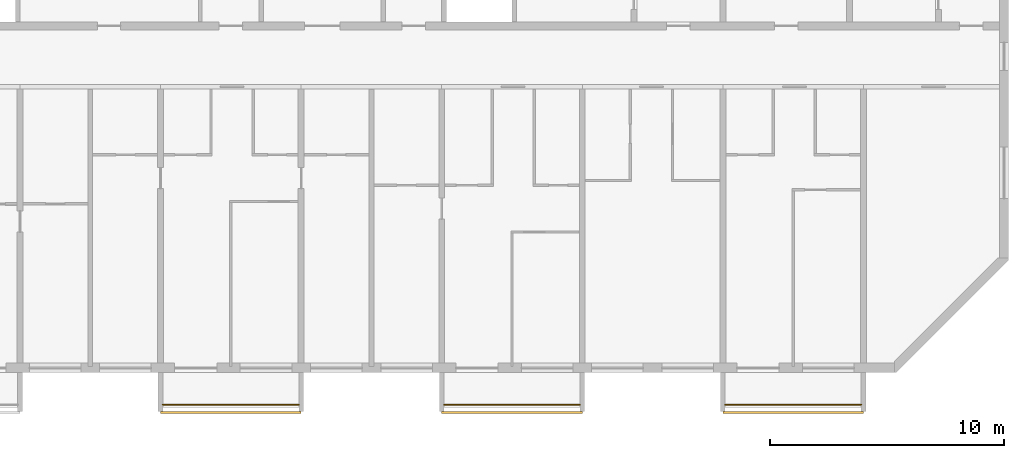
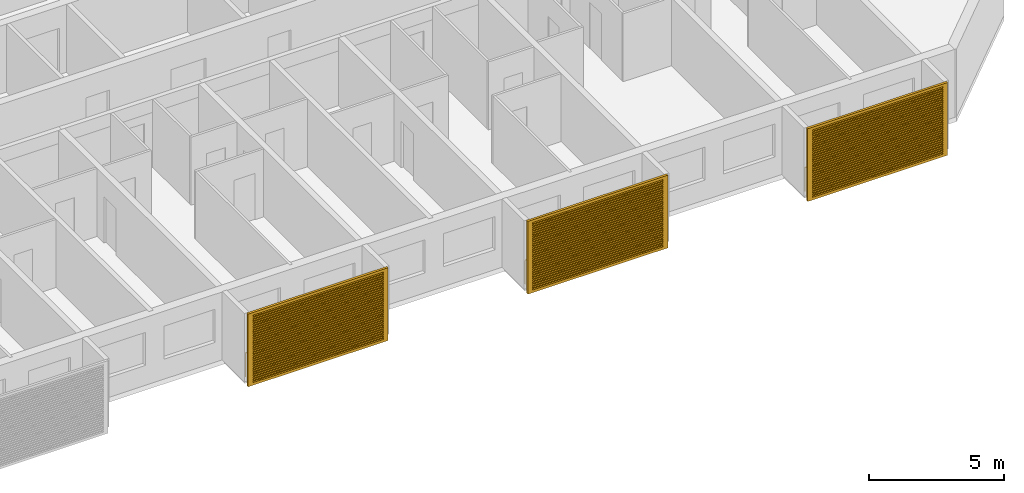
# One storey, part 13 of 26: 3 railings, 3 shading devices.
"""IFC4 building model written with IfcOpenShell, lengths in metres."""

from ifc_helpers import new_model, si_unit, direction, frame, origin, origin_2d, place, context, subcontext, project, spatial, polyline, circle, outline, extrude, source, transform, mapped, material, material_profile, profile_set, type_object, element, save


model = new_model("IFC4")

# Units and contexts
model_context = context("Model", 3, precision=1e-05, world=origin(), true_north=direction((0.0, 1.0)))
body_context = subcontext(model_context, "Body", "Model", "MODEL_VIEW")
ifc_project = project(units=[si_unit("LENGTHUNIT", "METRE"), si_unit("AREAUNIT", "SQUARE_METRE"), si_unit("VOLUMEUNIT", "CUBIC_METRE"), si_unit("PLANEANGLEUNIT", "RADIAN"), si_unit("MASSUNIT", "GRAM", prefix="KILO")], contexts=[model_context])

# Site, building, storey
site_placement = place(None, origin())
site = spatial("IfcSite", under=ifc_project, at=site_placement, CompositionType="ELEMENT")
building_placement = place(site_placement, origin())
building = spatial("IfcBuilding", under=site, at=building_placement, Name="Poui Terraces", CompositionType="ELEMENT")
storey_placement = place(building_placement, frame((0.0, 0.0, 221.39990234375)))
storey = spatial("IfcBuildingStorey", under=building, at=storey_placement, Name="L61", CompositionType="ELEMENT", Elevation=221.39990234375)

# Railings
ifc_material_1 = material(Name="Painted steel fretwork", Category="steel")
railing_type = type_object("IfcRailingType", Name="BALCONY GUARD 1100", PredefinedType="GUARDRAIL", material=ifc_material_1)
for number, where, name in (
    (1, (48.10009765625, -1.570068359375, 0.0), "BALCONY GUARD"),
    (2, (60.10009765625, -1.570068359375, 0.0), "BALCONY GUARD"),
    (3, (72.10009765625, -1.570068359375, 0.0), "BALCONY GUARD"),
):
    element("IfcRailing", number, at=place(storey_placement, frame(where)), inside=storey, type_object=railing_type, Name=name, PredefinedType="GUARDRAIL", context=body_context, shape_type="SweptSolid", body=[
        extrude(circle(Radius=0.02392578125, at=origin_2d()), frame((0.0, 0.0, 1.076171875), z_axis=(1.0, 0.0, 0.0), x_axis=(0.0, 1.0, 0.0)), (0.0, 0.0, 1.0), 5.7998046875),
        extrude(circle(Radius=0.02099609375, at=origin_2d()), origin(), (0.0, 0.0, 1.0), 1.052001953125),
        extrude(circle(Radius=0.02099609375, at=origin_2d()), frame((0.966552734375, 0.0, 0.0)), (0.0, 0.0, 1.0), 1.052001953125),
        extrude(circle(Radius=0.02099609375, at=origin_2d()), frame((1.933349609375, 0.0, 0.0)), (0.0, 0.0, 1.0), 1.052001953125),
        extrude(circle(Radius=0.02099609375, at=origin_2d()), frame((2.89990234375, 0.0, 0.0)), (0.0, 0.0, 1.0), 1.052001953125),
        extrude(circle(Radius=0.02099609375, at=origin_2d()), frame((3.866455078125, 0.0, 0.0)), (0.0, 0.0, 1.0), 1.052001953125),
        extrude(circle(Radius=0.02099609375, at=origin_2d()), frame((4.833251953125, 0.0, 0.0)), (0.0, 0.0, 1.0), 1.052001953125),
        extrude(circle(Radius=0.02099609375, at=origin_2d()), frame((5.7998046875, 0.0, 0.0)), (0.0, 0.0, 1.0), 1.052001953125),
    ])

# Shading devices
ifc_material_2 = material(Name="Aluminium louvre", Category="aluminium")
ifc_material_profile = material_profile(ifc_material_2, outline(polyline([(-3.0, -1.64990234375), (3.0, -1.64990234375), (3.0, 1.64990234375), (-3.0, 1.64990234375), (-3.0, -1.64990234375)]), holes=[polyline([(-2.800048828125, -1.530029296875), (2.800048828125, -1.530029296875), (2.800048828125, -1.469970703125), (-2.800048828125, -1.469970703125), (-2.800048828125, -1.530029296875)]), polyline([(-2.800048828125, -1.429931640625), (2.800048828125, -1.429931640625), (2.800048828125, -1.3701171875), (-2.800048828125, -1.3701171875), (-2.800048828125, -1.429931640625)]), polyline([(-2.800048828125, -1.330078125), (2.800048828125, -1.330078125), (2.800048828125, -1.27001953125), (-2.800048828125, -1.27001953125), (-2.800048828125, -1.330078125)]), polyline([(-2.800048828125, -1.22998046875), (2.800048828125, -1.22998046875), (2.800048828125, -1.169921875), (-2.800048828125, -1.169921875), (-2.800048828125, -1.22998046875)]), polyline([(-2.800048828125, -1.1298828125), (2.800048828125, -1.1298828125), (2.800048828125, -1.070068359375), (-2.800048828125, -1.070068359375), (-2.800048828125, -1.1298828125)]), polyline([(-2.800048828125, -1.030029296875), (2.800048828125, -1.030029296875), (2.800048828125, -0.969970703125), (-2.800048828125, -0.969970703125), (-2.800048828125, -1.030029296875)]), polyline([(-2.800048828125, -0.929931640625), (2.800048828125, -0.929931640625), (2.800048828125, -0.8701171875), (-2.800048828125, -0.8701171875), (-2.800048828125, -0.929931640625)]), polyline([(-2.800048828125, -0.830078125), (2.800048828125, -0.830078125), (2.800048828125, -0.77001953125), (-2.800048828125, -0.77001953125), (-2.800048828125, -0.830078125)]), polyline([(-2.800048828125, -0.72998046875), (2.800048828125, -0.72998046875), (2.800048828125, -0.669921875), (-2.800048828125, -0.669921875), (-2.800048828125, -0.72998046875)]), polyline([(-2.800048828125, -0.6298828125), (2.800048828125, -0.6298828125), (2.800048828125, -0.570068359375), (-2.800048828125, -0.570068359375), (-2.800048828125, -0.6298828125)]), polyline([(-2.800048828125, -0.530029296875), (2.800048828125, -0.530029296875), (2.800048828125, -0.469970703125), (-2.800048828125, -0.469970703125), (-2.800048828125, -0.530029296875)]), polyline([(-2.800048828125, -0.429931640625), (2.800048828125, -0.429931640625), (2.800048828125, -0.3701171875), (-2.800048828125, -0.3701171875), (-2.800048828125, -0.429931640625)]), polyline([(-2.800048828125, -0.330078125), (2.800048828125, -0.330078125), (2.800048828125, -0.27001953125), (-2.800048828125, -0.27001953125), (-2.800048828125, -0.330078125)]), polyline([(-2.800048828125, -0.22998046875), (2.800048828125, -0.22998046875), (2.800048828125, -0.169921875), (-2.800048828125, -0.169921875), (-2.800048828125, -0.22998046875)]), polyline([(-2.800048828125, -0.1298828125), (2.800048828125, -0.1298828125), (2.800048828125, -0.070068359375), (-2.800048828125, -0.070068359375), (-2.800048828125, -0.1298828125)]), polyline([(-2.800048828125, -0.030029296875), (2.800048828125, -0.030029296875), (2.800048828125, 0.030029296875), (-2.800048828125, 0.030029296875), (-2.800048828125, -0.030029296875)]), polyline([(-2.800048828125, 0.070068359375), (2.800048828125, 0.070068359375), (2.800048828125, 0.1298828125), (-2.800048828125, 0.1298828125), (-2.800048828125, 0.070068359375)]), polyline([(-2.800048828125, 0.169921875), (2.800048828125, 0.169921875), (2.800048828125, 0.22998046875), (-2.800048828125, 0.22998046875), (-2.800048828125, 0.169921875)]), polyline([(-2.800048828125, 0.27001953125), (2.800048828125, 0.27001953125), (2.800048828125, 0.330078125), (-2.800048828125, 0.330078125), (-2.800048828125, 0.27001953125)]), polyline([(-2.800048828125, 0.3701171875), (2.800048828125, 0.3701171875), (2.800048828125, 0.429931640625), (-2.800048828125, 0.429931640625), (-2.800048828125, 0.3701171875)]), polyline([(-2.800048828125, 0.469970703125), (2.800048828125, 0.469970703125), (2.800048828125, 0.530029296875), (-2.800048828125, 0.530029296875), (-2.800048828125, 0.469970703125)]), polyline([(-2.800048828125, 0.570068359375), (2.800048828125, 0.570068359375), (2.800048828125, 0.6298828125), (-2.800048828125, 0.6298828125), (-2.800048828125, 0.570068359375)]), polyline([(-2.800048828125, 0.669921875), (2.800048828125, 0.669921875), (2.800048828125, 0.72998046875), (-2.800048828125, 0.72998046875), (-2.800048828125, 0.669921875)]), polyline([(-2.800048828125, 0.77001953125), (2.800048828125, 0.77001953125), (2.800048828125, 0.830078125), (-2.800048828125, 0.830078125), (-2.800048828125, 0.77001953125)]), polyline([(-2.800048828125, 0.8701171875), (2.800048828125, 0.8701171875), (2.800048828125, 0.929931640625), (-2.800048828125, 0.929931640625), (-2.800048828125, 0.8701171875)]), polyline([(-2.800048828125, 0.969970703125), (2.800048828125, 0.969970703125), (2.800048828125, 1.030029296875), (-2.800048828125, 1.030029296875), (-2.800048828125, 0.969970703125)]), polyline([(-2.800048828125, 1.070068359375), (2.800048828125, 1.070068359375), (2.800048828125, 1.1298828125), (-2.800048828125, 1.1298828125), (-2.800048828125, 1.070068359375)]), polyline([(-2.800048828125, 1.169921875), (2.800048828125, 1.169921875), (2.800048828125, 1.22998046875), (-2.800048828125, 1.22998046875), (-2.800048828125, 1.169921875)]), polyline([(-2.800048828125, 1.27001953125), (2.800048828125, 1.27001953125), (2.800048828125, 1.330078125), (-2.800048828125, 1.330078125), (-2.800048828125, 1.27001953125)]), polyline([(-2.800048828125, 1.3701171875), (2.800048828125, 1.3701171875), (2.800048828125, 1.429931640625), (-2.800048828125, 1.429931640625), (-2.800048828125, 1.3701171875)]), polyline([(-2.800048828125, 1.469970703125), (2.800048828125, 1.469970703125), (2.800048828125, 1.530029296875), (-2.800048828125, 1.530029296875), (-2.800048828125, 1.469970703125)])]), Name="JALOUSIE LOUVRE SHUTTER 6000X3300")
ifc_profile_set = profile_set([ifc_material_profile], Name="Aluminium louvre")
shading_device_type = type_object("IfcShadingDeviceType", Name="JALOUSIE LOUVRE SHUTTER 6000X3300", PredefinedType="JALOUSIE", material=ifc_profile_set)
shared_shape = source(origin(), body_context, "Body", "SweptSolid", [
    extrude(outline(polyline([(-3.0, -1.64990234375), (3.0, -1.64990234375), (3.0, 1.64990234375), (-3.0, 1.64990234375), (-3.0, -1.64990234375)]), holes=[polyline([(-2.800048828125, -1.530029296875), (2.800048828125, -1.530029296875), (2.800048828125, -1.469970703125), (-2.800048828125, -1.469970703125), (-2.800048828125, -1.530029296875)]), polyline([(-2.800048828125, -1.429931640625), (2.800048828125, -1.429931640625), (2.800048828125, -1.3701171875), (-2.800048828125, -1.3701171875), (-2.800048828125, -1.429931640625)]), polyline([(-2.800048828125, -1.330078125), (2.800048828125, -1.330078125), (2.800048828125, -1.27001953125), (-2.800048828125, -1.27001953125), (-2.800048828125, -1.330078125)]), polyline([(-2.800048828125, -1.22998046875), (2.800048828125, -1.22998046875), (2.800048828125, -1.169921875), (-2.800048828125, -1.169921875), (-2.800048828125, -1.22998046875)]), polyline([(-2.800048828125, -1.1298828125), (2.800048828125, -1.1298828125), (2.800048828125, -1.070068359375), (-2.800048828125, -1.070068359375), (-2.800048828125, -1.1298828125)]), polyline([(-2.800048828125, -1.030029296875), (2.800048828125, -1.030029296875), (2.800048828125, -0.969970703125), (-2.800048828125, -0.969970703125), (-2.800048828125, -1.030029296875)]), polyline([(-2.800048828125, -0.929931640625), (2.800048828125, -0.929931640625), (2.800048828125, -0.8701171875), (-2.800048828125, -0.8701171875), (-2.800048828125, -0.929931640625)]), polyline([(-2.800048828125, -0.830078125), (2.800048828125, -0.830078125), (2.800048828125, -0.77001953125), (-2.800048828125, -0.77001953125), (-2.800048828125, -0.830078125)]), polyline([(-2.800048828125, -0.72998046875), (2.800048828125, -0.72998046875), (2.800048828125, -0.669921875), (-2.800048828125, -0.669921875), (-2.800048828125, -0.72998046875)]), polyline([(-2.800048828125, -0.6298828125), (2.800048828125, -0.6298828125), (2.800048828125, -0.570068359375), (-2.800048828125, -0.570068359375), (-2.800048828125, -0.6298828125)]), polyline([(-2.800048828125, -0.530029296875), (2.800048828125, -0.530029296875), (2.800048828125, -0.469970703125), (-2.800048828125, -0.469970703125), (-2.800048828125, -0.530029296875)]), polyline([(-2.800048828125, -0.429931640625), (2.800048828125, -0.429931640625), (2.800048828125, -0.3701171875), (-2.800048828125, -0.3701171875), (-2.800048828125, -0.429931640625)]), polyline([(-2.800048828125, -0.330078125), (2.800048828125, -0.330078125), (2.800048828125, -0.27001953125), (-2.800048828125, -0.27001953125), (-2.800048828125, -0.330078125)]), polyline([(-2.800048828125, -0.22998046875), (2.800048828125, -0.22998046875), (2.800048828125, -0.169921875), (-2.800048828125, -0.169921875), (-2.800048828125, -0.22998046875)]), polyline([(-2.800048828125, -0.1298828125), (2.800048828125, -0.1298828125), (2.800048828125, -0.070068359375), (-2.800048828125, -0.070068359375), (-2.800048828125, -0.1298828125)]), polyline([(-2.800048828125, -0.030029296875), (2.800048828125, -0.030029296875), (2.800048828125, 0.030029296875), (-2.800048828125, 0.030029296875), (-2.800048828125, -0.030029296875)]), polyline([(-2.800048828125, 0.070068359375), (2.800048828125, 0.070068359375), (2.800048828125, 0.1298828125), (-2.800048828125, 0.1298828125), (-2.800048828125, 0.070068359375)]), polyline([(-2.800048828125, 0.169921875), (2.800048828125, 0.169921875), (2.800048828125, 0.22998046875), (-2.800048828125, 0.22998046875), (-2.800048828125, 0.169921875)]), polyline([(-2.800048828125, 0.27001953125), (2.800048828125, 0.27001953125), (2.800048828125, 0.330078125), (-2.800048828125, 0.330078125), (-2.800048828125, 0.27001953125)]), polyline([(-2.800048828125, 0.3701171875), (2.800048828125, 0.3701171875), (2.800048828125, 0.429931640625), (-2.800048828125, 0.429931640625), (-2.800048828125, 0.3701171875)]), polyline([(-2.800048828125, 0.469970703125), (2.800048828125, 0.469970703125), (2.800048828125, 0.530029296875), (-2.800048828125, 0.530029296875), (-2.800048828125, 0.469970703125)]), polyline([(-2.800048828125, 0.570068359375), (2.800048828125, 0.570068359375), (2.800048828125, 0.6298828125), (-2.800048828125, 0.6298828125), (-2.800048828125, 0.570068359375)]), polyline([(-2.800048828125, 0.669921875), (2.800048828125, 0.669921875), (2.800048828125, 0.72998046875), (-2.800048828125, 0.72998046875), (-2.800048828125, 0.669921875)]), polyline([(-2.800048828125, 0.77001953125), (2.800048828125, 0.77001953125), (2.800048828125, 0.830078125), (-2.800048828125, 0.830078125), (-2.800048828125, 0.77001953125)]), polyline([(-2.800048828125, 0.8701171875), (2.800048828125, 0.8701171875), (2.800048828125, 0.929931640625), (-2.800048828125, 0.929931640625), (-2.800048828125, 0.8701171875)]), polyline([(-2.800048828125, 0.969970703125), (2.800048828125, 0.969970703125), (2.800048828125, 1.030029296875), (-2.800048828125, 1.030029296875), (-2.800048828125, 0.969970703125)]), polyline([(-2.800048828125, 1.070068359375), (2.800048828125, 1.070068359375), (2.800048828125, 1.1298828125), (-2.800048828125, 1.1298828125), (-2.800048828125, 1.070068359375)]), polyline([(-2.800048828125, 1.169921875), (2.800048828125, 1.169921875), (2.800048828125, 1.22998046875), (-2.800048828125, 1.22998046875), (-2.800048828125, 1.169921875)]), polyline([(-2.800048828125, 1.27001953125), (2.800048828125, 1.27001953125), (2.800048828125, 1.330078125), (-2.800048828125, 1.330078125), (-2.800048828125, 1.27001953125)]), polyline([(-2.800048828125, 1.3701171875), (2.800048828125, 1.3701171875), (2.800048828125, 1.429931640625), (-2.800048828125, 1.429931640625), (-2.800048828125, 1.3701171875)]), polyline([(-2.800048828125, 1.469970703125), (2.800048828125, 1.469970703125), (2.800048828125, 1.530029296875), (-2.800048828125, 1.530029296875), (-2.800048828125, 1.469970703125)])]), origin(), (0.0, 0.0, 1.0), 0.099853515625),
])
for number, where, z_axis, x_axis, name in (
    (4, (51.0, -1.85009765625, 1.4501953125), (0.0, -1.0, 0.0), (1.0, 0.0, 0.0), "JALOUSIE LOUVRE SHUTTER"),
    (5, (63.0, -1.85009765625, 1.4501953125), (0.0, -1.0, 0.0), (1.0, 0.0, 0.0), "JALOUSIE LOUVRE SHUTTER"),
    (6, (75.0, -1.85009765625, 1.4501953125), (0.0, -1.0, 0.0), (1.0, 0.0, 0.0), "JALOUSIE LOUVRE SHUTTER"),
):
    element("IfcShadingDevice", number, at=place(storey_placement, frame(where, z_axis=z_axis, x_axis=x_axis)), inside=storey, type_object=shading_device_type, Name=name, PredefinedType="JALOUSIE", context=body_context, shape_type="MappedRepresentation", body=[
        mapped(shared_shape, transform((0.0, 0.0, 0.0))),
    ])

save(model, "model.ifc")
